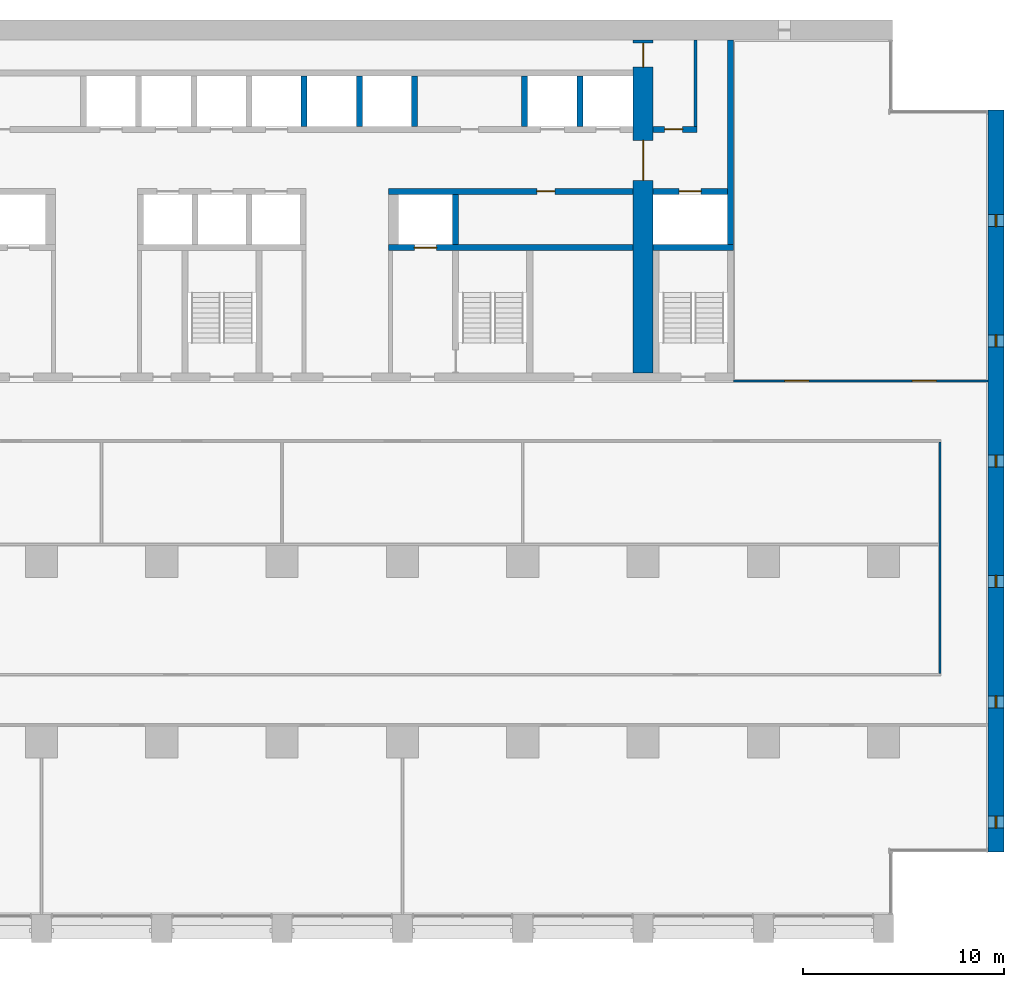
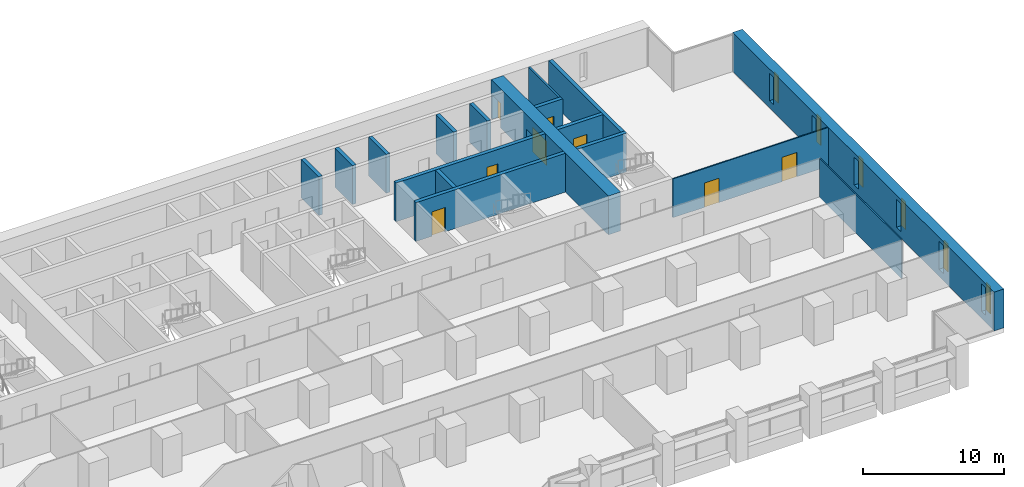
# One storey, part 13 of 17: 17 walls, 8 doors, 6 windows, 14 openings.
"""IFC4 building model written with IfcOpenShell, lengths in metres."""

from ifc_helpers import new_model, si_unit, direction, frame, frame_2d, origin, place, context, subcontext, project, spatial, rectangle, extrude, material, layer, layer_set, type_object, element, fill, save


model = new_model("IFC4")

# Units and contexts
model_context = context("Model", 3, precision=1e-05, world=origin(), true_north=direction((0.0, 1.0)))
body_context = subcontext(model_context, "Body", "Model", "MODEL_VIEW")
ifc_project = project(units=[si_unit("LENGTHUNIT", "METRE"), si_unit("AREAUNIT", "SQUARE_METRE"), si_unit("VOLUMEUNIT", "CUBIC_METRE"), si_unit("PLANEANGLEUNIT", "RADIAN"), si_unit("MASSUNIT", "GRAM", prefix="KILO")], contexts=[model_context])

# Site, building, storey
site_placement = place(None, origin())
site = spatial("IfcSite", under=ifc_project, at=site_placement, CompositionType="ELEMENT")
building_placement = place(site_placement, origin())
building = spatial("IfcBuilding", under=site, at=building_placement, Name="Calvaro Tower", CompositionType="ELEMENT")
storey_placement = place(building_placement, frame((0.0, 0.0, 67.5)))
storey = spatial("IfcBuildingStorey", under=building, at=storey_placement, Name="L16", CompositionType="ELEMENT", Elevation=67.5)

# Wall
ifc_material_1 = material(Name="Blockwork partition", Category="masonry")
ifc_layer_1 = layer(ifc_material_1, 0.14990234375)
ifc_layer_set_1 = layer_set([ifc_layer_1], Name="Blockwork partition")
wall_type_1 = type_object("IfcWallType", Name="Core partition 150 REI 120", PredefinedType="PARTITIONING", material=ifc_layer_set_1)
wall_1_placement = place(storey_placement, frame((62.625, 40.699951171875, 0.0), z_axis=(0.0, 0.0, 1.0), x_axis=(0.0, 1.0, 0.0)))
element("IfcWall", 1, at=wall_1_placement, inside=storey, type_object=wall_type_1, Name="Core partition", PredefinedType="PARTITIONING", context=body_context, shape_type="SweptSolid", body=[
    extrude(rectangle(XDim=4.300048828125, YDim=0.14990234375, at=frame_2d((2.14990234375, 0.0))), origin(), (0.0, 0.0, 1.0), 3.35009765625),
])

# Wall, opening, door
ifc_material_2 = material(Name="Blockwork partition", Category="masonry")
ifc_layer_2 = layer(ifc_material_2, 0.300048828125)
ifc_layer_set_2 = layer_set([ifc_layer_2], Name="Blockwork partition")
wall_type_2 = type_object("IfcWallType", Name="Core partition 300 REI 120", PredefinedType="PARTITIONING", material=ifc_layer_set_2)
wall_2_placement = place(storey_placement, frame((60.5, 40.550048828125, 0.0), z_axis=(0.0, 0.0, 1.0), x_axis=(1.0, 0.0, 0.0)))
wall_2 = element("IfcWall", 2, at=wall_2_placement, inside=storey, type_object=wall_type_2, Name="Core partition", PredefinedType="PARTITIONING", context=body_context, shape_type="SweptSolid", body=[
    extrude(rectangle(XDim=2.199951171875, YDim=0.300048828125, at=frame_2d((1.10009765625, 0.0))), origin(), (0.0, 0.0, 1.0), 3.35009765625),
])
opening_1_placement = place(wall_2_placement, frame((0.574951171875, 0.0, 0.0)))
opening_1 = element("IfcOpeningElement", 3, at=opening_1_placement, cuts=wall_2, Name="Opening RD9C", PredefinedType="OPENING", context=body_context, shape_type="SweptSolid", body=[
    extrude(rectangle(XDim=0.89990234375, YDim=2.10009765625, at=frame_2d((0.449951171875, 1.050048828125))), frame((0.0, 0.159912109375, 0.0), z_axis=(0.0, -1.0, 0.0), x_axis=(1.0, 0.0, 0.0)), (0.0, 0.0, 1.0), 0.320068359375),
])
ifc_material_3 = material(Name="Steel door set", Category="steel")
door_type_1 = type_object("IfcDoorType", Name="Room door 900 FD30", OperationType="SINGLE_SWING_LEFT", PredefinedType="DOOR", material=ifc_material_3)
door_1_placement = place(opening_1_placement, origin())
door_1 = element("IfcDoor", 4, at=door_1_placement, inside=storey, type_object=door_type_1, Name="Room door", OperationType="SINGLE_SWING_LEFT", OverallHeight=2.10009765625, OverallWidth=0.89990234375, PredefinedType="DOOR", context=body_context, shape_type="SweptSolid", body=[
    extrude(rectangle(XDim=0.89990234375, YDim=2.10009765625, at=frame_2d((0.449951171875, 1.050048828125))), frame((0.0, 0.02490234375, 0.0), z_axis=(0.0, -1.0, 0.0), x_axis=(1.0, 0.0, 0.0)), (0.0, 0.0, 1.0), 0.050048828125),
])
fill(opening_1, door_1)

# Wall, openings, doors
ifc_material_4 = material(Name="Concrete C80/95", Category="concrete")
ifc_layer_3 = layer(ifc_material_4, 1.0)
ifc_layer_set_3 = layer_set([ifc_layer_3], Name="Concrete C80/95")
wall_type_3 = type_object("IfcWallType", Name="Core wall C80/95 1000", PredefinedType="SHEAR", material=ifc_layer_set_3)
wall_3_placement = place(storey_placement, frame((60.0, 28.39990234375, 0.0), z_axis=(0.0, 0.0, 1.0), x_axis=(0.0, 1.0, 0.0)))
wall_3 = element("IfcWall", 5, at=wall_3_placement, inside=storey, type_object=wall_type_3, Name="Core wall, cross shear wall", PredefinedType="SHEAR", context=body_context, shape_type="SweptSolid", body=[
    extrude(rectangle(XDim=16.60009765625, YDim=1.0, at=frame_2d((8.300048828125, 0.0))), origin(), (0.0, 0.0, 1.0), 3.35009765625),
])
opening_2_placement = place(wall_3_placement, frame((9.60009765625, 0.0, 0.0)))
opening_2 = element("IfcOpeningElement", 6, at=opening_2_placement, cuts=wall_3, Name="Opening DD20D", PredefinedType="OPENING", context=body_context, shape_type="SweptSolid", body=[
    extrude(rectangle(XDim=2.0, YDim=2.10009765625, at=frame_2d((1.0, 1.050048828125))), frame((0.0, 0.510009765625, 0.0), z_axis=(0.0, -1.0, 0.0), x_axis=(1.0, 0.0, 0.0)), (0.0, 0.0, 1.0), 1.02001953125),
])
opening_3_placement = place(wall_3_placement, frame((15.25, 0.0, 0.0)))
opening_3 = element("IfcOpeningElement", 7, at=opening_3_placement, cuts=wall_3, Name="Opening FD12C", PredefinedType="OPENING", context=body_context, shape_type="SweptSolid", body=[
    extrude(rectangle(XDim=1.199951171875, YDim=2.10009765625, at=frame_2d((0.60009765625, 1.050048828125))), frame((0.0, 0.510009765625, 0.0), z_axis=(0.0, -1.0, 0.0), x_axis=(1.0, 0.0, 0.0)), (0.0, 0.0, 1.0), 1.02001953125),
])
ifc_material_5 = material(Name="Steel door set", Category="steel")
door_type_2 = type_object("IfcDoorType", Name="Fire door 1200 FD30", OperationType="SINGLE_SWING_LEFT", PredefinedType="DOOR", material=ifc_material_5)
door_2_placement = place(opening_3_placement, origin())
door_2 = element("IfcDoor", 8, at=door_2_placement, inside=storey, type_object=door_type_2, Name="Fire door", OperationType="SINGLE_SWING_LEFT", OverallHeight=2.10009765625, OverallWidth=1.199951171875, PredefinedType="DOOR", context=body_context, shape_type="SweptSolid", body=[
    extrude(rectangle(XDim=1.199951171875, YDim=2.10009765625, at=frame_2d((0.60009765625, 1.050048828125))), frame((0.0, 0.02490234375, 0.0), z_axis=(0.0, -1.0, 0.0), x_axis=(1.0, 0.0, 0.0)), (0.0, 0.0, 1.0), 0.050048828125),
])
fill(opening_3, door_2)
ifc_material_6 = material(Name="Steel door set", Category="steel")
door_type_3 = type_object("IfcDoorType", Name="Lobby double door 2000 FD30S", OperationType="DOUBLE_DOOR_SINGLE_SWING", PredefinedType="DOOR", material=ifc_material_6)
door_3_placement = place(opening_2_placement, origin())
door_3 = element("IfcDoor", 9, at=door_3_placement, inside=storey, type_object=door_type_3, Name="Lobby double door", OperationType="DOUBLE_DOOR_SINGLE_SWING", OverallHeight=2.10009765625, OverallWidth=2.0, PredefinedType="DOOR", context=body_context, shape_type="SweptSolid", body=[
    extrude(rectangle(XDim=2.0, YDim=2.10009765625, at=frame_2d((1.0, 1.050048828125))), frame((0.0, 0.02490234375, 0.0), z_axis=(0.0, -1.0, 0.0), x_axis=(1.0, 0.0, 0.0)), (0.0, 0.0, 1.0), 0.050048828125),
])
fill(opening_2, door_3)

# Wall
ifc_material_7 = material(Name="Concrete C80/95", Category="concrete")
ifc_layer_4 = layer(ifc_material_7, 0.300048828125)
ifc_layer_set_4 = layer_set([ifc_layer_4], Name="Concrete C80/95")
wall_type_4 = type_object("IfcWallType", Name="Core wall C80/95 300", PredefinedType="SHEAR", material=ifc_layer_set_4)
wall_4_placement = place(storey_placement, frame((64.35009765625, 34.800048828125, 0.0), z_axis=(0.0, 0.0, 1.0), x_axis=(0.0, 1.0, 0.0)))
element("IfcWall", 10, at=wall_4_placement, inside=storey, type_object=wall_type_4, Name="Core wall, boundary", PredefinedType="SHEAR", context=body_context, shape_type="SweptSolid", body=[
    extrude(rectangle(XDim=10.199951171875, YDim=0.300048828125, at=frame_2d((5.10009765625, 0.0))), origin(), (0.0, 0.0, 1.0), 3.35009765625),
])

# Wall, opening, door
wall_5_placement = place(storey_placement, frame((47.300048828125, 34.64990234375, 0.0), z_axis=(0.0, 0.0, 1.0), x_axis=(1.0, 0.0, 0.0)))
wall_5 = element("IfcWall", 11, at=wall_5_placement, inside=storey, type_object=wall_type_4, Name="Core wall, lift shaft", PredefinedType="SHEAR", context=body_context, shape_type="SweptSolid", body=[
    extrude(rectangle(XDim=12.199951171875, YDim=0.300048828125, at=frame_2d((6.10009765625, 0.0))), origin(), (0.0, 0.0, 1.0), 3.35009765625),
])
opening_4_placement = place(wall_5_placement, frame((1.300048828125, 0.0, 0.0)))
opening_4 = element("IfcOpeningElement", 12, at=opening_4_placement, cuts=wall_5, Name="Opening FF2", PredefinedType="OPENING", context=body_context, shape_type="SweptSolid", body=[
    extrude(rectangle(XDim=1.10009765625, YDim=2.10009765625, at=frame_2d((0.550048828125, 1.050048828125))), frame((0.0, 0.159912109375, 0.0), z_axis=(0.0, -1.0, 0.0), x_axis=(1.0, 0.0, 0.0)), (0.0, 0.0, 1.0), 0.320068359375),
])
ifc_material_8 = material(Name="Stainless steel", Category="steel")
door_type_4 = type_object("IfcDoorType", Name="Landing door 1100 E 60", OperationType="SLIDING_TO_LEFT", PredefinedType="DOOR", material=ifc_material_8)
door_4_placement = place(opening_4_placement, origin())
door_4 = element("IfcDoor", 13, at=door_4_placement, inside=storey, type_object=door_type_4, Name="Landing door FF2", OperationType="SLIDING_TO_LEFT", OverallHeight=2.10009765625, OverallWidth=1.10009765625, PredefinedType="DOOR", context=body_context, shape_type="SweptSolid", body=[
    extrude(rectangle(XDim=1.10009765625, YDim=2.10009765625, at=frame_2d((0.550048828125, 1.050048828125))), frame((0.0, 0.02490234375, 0.0), z_axis=(0.0, -1.0, 0.0), x_axis=(1.0, 0.0, 0.0)), (0.0, 0.0, 1.0), 0.050048828125),
])
fill(opening_4, door_4)

# Wall
wall_6_placement = place(storey_placement, frame((60.5, 34.64990234375, 0.0), z_axis=(0.0, 0.0, 1.0), x_axis=(1.0, 0.0, 0.0)))
element("IfcWall", 14, at=wall_6_placement, inside=storey, type_object=wall_type_4, Name="Core wall, lift shaft", PredefinedType="SHEAR", context=body_context, shape_type="SweptSolid", body=[
    extrude(rectangle(XDim=4.0, YDim=0.300048828125, at=frame_2d((2.0, 0.0))), origin(), (0.0, 0.0, 1.0), 3.35009765625),
])

# Wall, opening, door
wall_7_placement = place(storey_placement, frame((59.5, 37.449951171875, 0.0), z_axis=(0.0, 0.0, 1.0), x_axis=(-1.0, 0.0, 0.0)))
wall_7 = element("IfcWall", 15, at=wall_7_placement, inside=storey, type_object=wall_type_4, Name="Core wall, bay", PredefinedType="SHEAR", context=body_context, shape_type="SweptSolid", body=[
    extrude(rectangle(XDim=12.199951171875, YDim=0.300048828125, at=frame_2d((6.10009765625, 0.0))), origin(), (0.0, 0.0, 1.0), 3.35009765625),
])
opening_5_placement = place(wall_7_placement, frame((3.89990234375, 0.0, 0.0)))
opening_5 = element("IfcOpeningElement", 16, at=opening_5_placement, cuts=wall_7, Name="Opening RD9E", PredefinedType="OPENING", context=body_context, shape_type="SweptSolid", body=[
    extrude(rectangle(XDim=0.89990234375, YDim=2.10009765625, at=frame_2d((0.449951171875, 1.050048828125))), frame((0.0, 0.159912109375, 0.0), z_axis=(0.0, -1.0, 0.0), x_axis=(1.0, 0.0, 0.0)), (0.0, 0.0, 1.0), 0.320068359375),
])
ifc_material_9 = material(Name="Steel door set", Category="steel")
door_type_5 = type_object("IfcDoorType", Name="Room door 900 FD60", OperationType="SINGLE_SWING_LEFT", PredefinedType="DOOR", material=ifc_material_9)
door_5_placement = place(opening_5_placement, origin())
door_5 = element("IfcDoor", 17, at=door_5_placement, inside=storey, type_object=door_type_5, Name="Room door", OperationType="SINGLE_SWING_RIGHT", OverallHeight=2.10009765625, OverallWidth=0.89990234375, PredefinedType="DOOR", context=body_context, shape_type="SweptSolid", body=[
    extrude(rectangle(XDim=0.89990234375, YDim=2.10009765625, at=frame_2d((0.449951171875, 1.050048828125))), frame((0.0, 0.02490234375, 0.0), z_axis=(0.0, -1.0, 0.0), x_axis=(1.0, 0.0, 0.0)), (0.0, 0.0, 1.0), 0.050048828125),
])
fill(opening_5, door_5)

wall_8_placement = place(storey_placement, frame((60.5, 37.449951171875, 0.0), z_axis=(0.0, 0.0, 1.0), x_axis=(1.0, 0.0, 0.0)))
wall_8 = element("IfcWall", 18, at=wall_8_placement, inside=storey, type_object=wall_type_4, Name="Core wall, lift shaft", PredefinedType="SHEAR", context=body_context, shape_type="SweptSolid", body=[
    extrude(rectangle(XDim=3.699951171875, YDim=0.300048828125, at=frame_2d((1.85009765625, 0.0))), origin(), (0.0, 0.0, 1.0), 3.35009765625),
])
opening_6_placement = place(wall_8_placement, frame((1.300048828125, 0.0, 0.0)))
opening_6 = element("IfcOpeningElement", 19, at=opening_6_placement, cuts=wall_8, Name="Opening FF3", PredefinedType="OPENING", context=body_context, shape_type="SweptSolid", body=[
    extrude(rectangle(XDim=1.10009765625, YDim=2.10009765625, at=frame_2d((0.550048828125, 1.050048828125))), frame((0.0, 0.159912109375, 0.0), z_axis=(0.0, -1.0, 0.0), x_axis=(1.0, 0.0, 0.0)), (0.0, 0.0, 1.0), 0.320068359375),
])
door_6_placement = place(opening_6_placement, origin())
door_6 = element("IfcDoor", 20, at=door_6_placement, inside=storey, type_object=door_type_4, Name="Landing door FF3", OperationType="SLIDING_TO_LEFT", OverallHeight=2.10009765625, OverallWidth=1.10009765625, PredefinedType="DOOR", context=body_context, shape_type="SweptSolid", body=[
    extrude(rectangle(XDim=1.10009765625, YDim=2.10009765625, at=frame_2d((0.550048828125, 1.050048828125))), frame((0.0, 0.02490234375, 0.0), z_axis=(0.0, -1.0, 0.0), x_axis=(1.0, 0.0, 0.0)), (0.0, 0.0, 1.0), 0.050048828125),
])
fill(opening_6, door_6)

# Walls
for number, where, z_axis, x_axis, name in (
    (21, (50.64990234375, 34.800048828125, 0.0), (0.0, 0.0, 1.0), (0.0, 1.0, 0.0), "Core wall, lift shaft"),
    (22, (43.10009765625, 40.699951171875, 0.0), (0.0, 0.0, 1.0), (0.0, 1.0, 0.0), "Core wall, lift shaft"),
    (23, (45.85009765625, 40.699951171875, 0.0), (0.0, 0.0, 1.0), (0.0, 1.0, 0.0), "Core wall, lift shaft"),
    (24, (48.60009765625, 40.699951171875, 0.0), (0.0, 0.0, 1.0), (0.0, 1.0, 0.0), "Core wall, lift shaft"),
    (25, (54.10009765625, 40.699951171875, 0.0), (0.0, 0.0, 1.0), (0.0, 1.0, 0.0), "Core wall, lift shaft"),
    (26, (56.85009765625, 40.699951171875, 0.0), (0.0, 0.0, 1.0), (0.0, 1.0, 0.0), "Core wall, lift shaft"),
):
    element("IfcWall", number, at=place(storey_placement, frame(where, z_axis=z_axis, x_axis=x_axis)), inside=storey, type_object=wall_type_4, Name=name, PredefinedType="SHEAR", context=body_context, shape_type="SweptSolid", body=[
        extrude(rectangle(XDim=2.5, YDim=0.300048828125, at=frame_2d((1.25, 0.0))), origin(), (0.0, 0.0, 1.0), 3.35009765625),
    ])

# Wall, openings, windows
ifc_material_10 = material(Name="Concrete C80/95", Category="concrete")
ifc_layer_5 = layer(ifc_material_10, 0.800048828125)
ifc_layer_set_5 = layer_set([ifc_layer_5], Name="Concrete C80/95")
wall_type_5 = type_object("IfcWallType", Name="End wall 800 C80/95", PredefinedType="SHEAR", material=ifc_layer_set_5)
wall_9_placement = place(storey_placement, frame((77.60009765625, 4.5, 0.0), z_axis=(0.0, 0.0, 1.0), x_axis=(0.0, 1.0, 0.0)))
wall_9 = element("IfcWall", 27, at=wall_9_placement, inside=storey, type_object=wall_type_5, Name="End shear wall", PredefinedType="SHEAR", context=body_context, shape_type="SweptSolid", body=[
    extrude(rectangle(XDim=37.0, YDim=0.800048828125, at=frame_2d((18.5, 0.0))), origin(), (0.0, 0.0, 1.0), 3.35009765625),
])
opening_7_placement = place(wall_9_placement, frame((1.199951171875, 0.0, 0.60009765625)))
opening_7 = element("IfcOpeningElement", 28, at=opening_7_placement, cuts=wall_9, Name="Opening WE01", PredefinedType="OPENING", context=body_context, shape_type="SweptSolid", body=[
    extrude(rectangle(XDim=0.60009765625, YDim=2.39990234375, at=frame_2d((0.300048828125, 1.199951171875))), frame((0.0, 0.409912109375, 0.0), z_axis=(0.0, -1.0, 0.0), x_axis=(1.0, 0.0, 0.0)), (0.0, 0.0, 1.0), 0.820068359375),
])
opening_8_placement = place(wall_9_placement, frame((7.199951171875, 0.0, 0.60009765625)))
opening_8 = element("IfcOpeningElement", 29, at=opening_8_placement, cuts=wall_9, Name="Opening WE02", PredefinedType="OPENING", context=body_context, shape_type="SweptSolid", body=[
    extrude(rectangle(XDim=0.60009765625, YDim=2.39990234375, at=frame_2d((0.300048828125, 1.199951171875))), frame((0.0, 0.409912109375, 0.0), z_axis=(0.0, -1.0, 0.0), x_axis=(1.0, 0.0, 0.0)), (0.0, 0.0, 1.0), 0.820068359375),
])
opening_9_placement = place(wall_9_placement, frame((13.199951171875, 0.0, 0.60009765625)))
opening_9 = element("IfcOpeningElement", 30, at=opening_9_placement, cuts=wall_9, Name="Opening WE03", PredefinedType="OPENING", context=body_context, shape_type="SweptSolid", body=[
    extrude(rectangle(XDim=0.60009765625, YDim=2.39990234375, at=frame_2d((0.300048828125, 1.199951171875))), frame((0.0, 0.409912109375, 0.0), z_axis=(0.0, -1.0, 0.0), x_axis=(1.0, 0.0, 0.0)), (0.0, 0.0, 1.0), 0.820068359375),
])
opening_10_placement = place(wall_9_placement, frame((19.199951171875, 0.0, 0.60009765625)))
opening_10 = element("IfcOpeningElement", 31, at=opening_10_placement, cuts=wall_9, Name="Opening WE04", PredefinedType="OPENING", context=body_context, shape_type="SweptSolid", body=[
    extrude(rectangle(XDim=0.60009765625, YDim=2.39990234375, at=frame_2d((0.300048828125, 1.199951171875))), frame((0.0, 0.409912109375, 0.0), z_axis=(0.0, -1.0, 0.0), x_axis=(1.0, 0.0, 0.0)), (0.0, 0.0, 1.0), 0.820068359375),
])
opening_11_placement = place(wall_9_placement, frame((25.199951171875, 0.0, 0.60009765625)))
opening_11 = element("IfcOpeningElement", 32, at=opening_11_placement, cuts=wall_9, Name="Opening WE05", PredefinedType="OPENING", context=body_context, shape_type="SweptSolid", body=[
    extrude(rectangle(XDim=0.60009765625, YDim=2.39990234375, at=frame_2d((0.300048828125, 1.199951171875))), frame((0.0, 0.409912109375, 0.0), z_axis=(0.0, -1.0, 0.0), x_axis=(1.0, 0.0, 0.0)), (0.0, 0.0, 1.0), 0.820068359375),
])
opening_12_placement = place(wall_9_placement, frame((31.199951171875, 0.0, 0.60009765625)))
opening_12 = element("IfcOpeningElement", 33, at=opening_12_placement, cuts=wall_9, Name="Opening WE06", PredefinedType="OPENING", context=body_context, shape_type="SweptSolid", body=[
    extrude(rectangle(XDim=0.60009765625, YDim=2.39990234375, at=frame_2d((0.300048828125, 1.199951171875))), frame((0.0, 0.409912109375, 0.0), z_axis=(0.0, -1.0, 0.0), x_axis=(1.0, 0.0, 0.0)), (0.0, 0.0, 1.0), 0.820068359375),
])
ifc_material_11 = material(Name="Glass", Category="glass")
window_type = type_object("IfcWindowType", Name="Slit window 600 x 2400", PartitioningType="SINGLE_PANEL", PredefinedType="WINDOW", material=ifc_material_11)
window_1_placement = place(opening_7_placement, origin())
window_1 = element("IfcWindow", 34, at=window_1_placement, inside=storey, type_object=window_type, Name="Window WE01", OverallHeight=2.39990234375, OverallWidth=0.60009765625, PartitioningType="SINGLE_PANEL", PredefinedType="WINDOW", context=body_context, shape_type="SweptSolid", body=[
    extrude(rectangle(XDim=0.60009765625, YDim=2.39990234375, at=frame_2d((0.300048828125, 1.199951171875))), frame((0.0, 0.030029296875, 0.0), z_axis=(0.0, -1.0, 0.0), x_axis=(1.0, 0.0, 0.0)), (0.0, 0.0, 1.0), 0.06005859375),
])
fill(opening_7, window_1)
window_2_placement = place(opening_8_placement, origin())
window_2 = element("IfcWindow", 35, at=window_2_placement, inside=storey, type_object=window_type, Name="Window WE02", OverallHeight=2.39990234375, OverallWidth=0.60009765625, PartitioningType="SINGLE_PANEL", PredefinedType="WINDOW", context=body_context, shape_type="SweptSolid", body=[
    extrude(rectangle(XDim=0.60009765625, YDim=2.39990234375, at=frame_2d((0.300048828125, 1.199951171875))), frame((0.0, 0.030029296875, 0.0), z_axis=(0.0, -1.0, 0.0), x_axis=(1.0, 0.0, 0.0)), (0.0, 0.0, 1.0), 0.06005859375),
])
fill(opening_8, window_2)
window_3_placement = place(opening_9_placement, origin())
window_3 = element("IfcWindow", 36, at=window_3_placement, inside=storey, type_object=window_type, Name="Window WE03", OverallHeight=2.39990234375, OverallWidth=0.60009765625, PartitioningType="SINGLE_PANEL", PredefinedType="WINDOW", context=body_context, shape_type="SweptSolid", body=[
    extrude(rectangle(XDim=0.60009765625, YDim=2.39990234375, at=frame_2d((0.300048828125, 1.199951171875))), frame((0.0, 0.030029296875, 0.0), z_axis=(0.0, -1.0, 0.0), x_axis=(1.0, 0.0, 0.0)), (0.0, 0.0, 1.0), 0.06005859375),
])
fill(opening_9, window_3)
window_4_placement = place(opening_10_placement, origin())
window_4 = element("IfcWindow", 37, at=window_4_placement, inside=storey, type_object=window_type, Name="Window WE04", OverallHeight=2.39990234375, OverallWidth=0.60009765625, PartitioningType="SINGLE_PANEL", PredefinedType="WINDOW", context=body_context, shape_type="SweptSolid", body=[
    extrude(rectangle(XDim=0.60009765625, YDim=2.39990234375, at=frame_2d((0.300048828125, 1.199951171875))), frame((0.0, 0.030029296875, 0.0), z_axis=(0.0, -1.0, 0.0), x_axis=(1.0, 0.0, 0.0)), (0.0, 0.0, 1.0), 0.06005859375),
])
fill(opening_10, window_4)
window_5_placement = place(opening_11_placement, origin())
window_5 = element("IfcWindow", 38, at=window_5_placement, inside=storey, type_object=window_type, Name="Window WE05", OverallHeight=2.39990234375, OverallWidth=0.60009765625, PartitioningType="SINGLE_PANEL", PredefinedType="WINDOW", context=body_context, shape_type="SweptSolid", body=[
    extrude(rectangle(XDim=0.60009765625, YDim=2.39990234375, at=frame_2d((0.300048828125, 1.199951171875))), frame((0.0, 0.030029296875, 0.0), z_axis=(0.0, -1.0, 0.0), x_axis=(1.0, 0.0, 0.0)), (0.0, 0.0, 1.0), 0.06005859375),
])
fill(opening_11, window_5)
window_6_placement = place(opening_12_placement, origin())
window_6 = element("IfcWindow", 39, at=window_6_placement, inside=storey, type_object=window_type, Name="Window WE06", OverallHeight=2.39990234375, OverallWidth=0.60009765625, PartitioningType="SINGLE_PANEL", PredefinedType="WINDOW", context=body_context, shape_type="SweptSolid", body=[
    extrude(rectangle(XDim=0.60009765625, YDim=2.39990234375, at=frame_2d((0.300048828125, 1.199951171875))), frame((0.0, 0.030029296875, 0.0), z_axis=(0.0, -1.0, 0.0), x_axis=(1.0, 0.0, 0.0)), (0.0, 0.0, 1.0), 0.06005859375),
])
fill(opening_12, window_6)

# Wall, openings, doors
ifc_material_12 = material(Name="Plasterboard on steel studs", Category="steel")
ifc_layer_6 = layer(ifc_material_12, 0.10009765625)
ifc_layer_set_6 = layer_set([ifc_layer_6], Name="Plasterboard on steel studs")
wall_type_6 = type_object("IfcWallType", Name="Partition 100", PredefinedType="PARTITIONING", material=ifc_layer_set_6)
wall_10_placement = place(storey_placement, frame((64.5, 28.0, 0.0), z_axis=(0.0, 0.0, 1.0), x_axis=(1.0, 0.0, 0.0)))
wall_10 = element("IfcWall", 40, at=wall_10_placement, inside=storey, type_object=wall_type_6, Name="Partition T13.W006", PredefinedType="PARTITIONING", context=body_context, shape_type="SweptSolid", body=[
    extrude(rectangle(XDim=12.699951171875, YDim=0.10009765625, at=frame_2d((6.35009765625, 0.0))), origin(), (0.0, 0.0, 1.0), 3.35009765625),
])
opening_13_placement = place(wall_10_placement, frame((2.574951171875, 0.0, 0.0)))
opening_13 = element("IfcOpeningElement", 41, at=opening_13_placement, cuts=wall_10, Name="Opening T13.017", PredefinedType="OPENING", context=body_context, shape_type="SweptSolid", body=[
    extrude(rectangle(XDim=1.199951171875, YDim=2.10009765625, at=frame_2d((0.60009765625, 1.050048828125))), frame((0.0, 0.06005859375, 0.0), z_axis=(0.0, -1.0, 0.0), x_axis=(1.0, 0.0, 0.0)), (0.0, 0.0, 1.0), 0.1201171875),
])
opening_14_placement = place(wall_10_placement, frame((8.925048828125, 0.0, 0.0)))
opening_14 = element("IfcOpeningElement", 42, at=opening_14_placement, cuts=wall_10, Name="Opening T13.018", PredefinedType="OPENING", context=body_context, shape_type="SweptSolid", body=[
    extrude(rectangle(XDim=1.199951171875, YDim=2.10009765625, at=frame_2d((0.60009765625, 1.050048828125))), frame((0.0, 0.06005859375, 0.0), z_axis=(0.0, -1.0, 0.0), x_axis=(1.0, 0.0, 0.0)), (0.0, 0.0, 1.0), 0.1201171875),
])
ifc_material_13 = material(Name="Timber", Category="wood")
door_type_6 = type_object("IfcDoorType", Name="Internal single door 1200 x 2100", OperationType="SINGLE_SWING_LEFT", PredefinedType="DOOR", material=ifc_material_13)
door_7_placement = place(opening_13_placement, origin())
door_7 = element("IfcDoor", 43, at=door_7_placement, inside=storey, type_object=door_type_6, Name="Door T13.017", OperationType="SINGLE_SWING_LEFT", OverallHeight=2.10009765625, OverallWidth=1.199951171875, PredefinedType="DOOR", context=body_context, shape_type="SweptSolid", body=[
    extrude(rectangle(XDim=1.199951171875, YDim=2.10009765625, at=frame_2d((0.60009765625, 1.050048828125))), frame((0.0, 0.02490234375, 0.0), z_axis=(0.0, -1.0, 0.0), x_axis=(1.0, 0.0, 0.0)), (0.0, 0.0, 1.0), 0.050048828125),
])
fill(opening_13, door_7)
door_8_placement = place(opening_14_placement, origin())
door_8 = element("IfcDoor", 44, at=door_8_placement, inside=storey, type_object=door_type_6, Name="Door T13.018", OperationType="SINGLE_SWING_RIGHT", OverallHeight=2.10009765625, OverallWidth=1.199951171875, PredefinedType="DOOR", context=body_context, shape_type="SweptSolid", body=[
    extrude(rectangle(XDim=1.199951171875, YDim=2.10009765625, at=frame_2d((0.60009765625, 1.050048828125))), frame((0.0, 0.02490234375, 0.0), z_axis=(0.0, -1.0, 0.0), x_axis=(1.0, 0.0, 0.0)), (0.0, 0.0, 1.0), 0.050048828125),
])
fill(opening_14, door_8)

# Wall
wall_11_placement = place(storey_placement, frame((74.800048828125, 13.39990234375, 0.0), z_axis=(0.0, 0.0, 1.0), x_axis=(0.0, 1.0, 0.0)))
element("IfcWall", 45, at=wall_11_placement, inside=storey, type_object=wall_type_6, Name="Partition T13.W016", PredefinedType="PARTITIONING", context=body_context, shape_type="SweptSolid", body=[
    extrude(rectangle(XDim=11.550048828125, YDim=0.10009765625, at=frame_2d((5.77490234375, 0.0))), origin(), (0.0, 0.0, 1.0), 3.35009765625),
])

save(model, "model.ifc")
